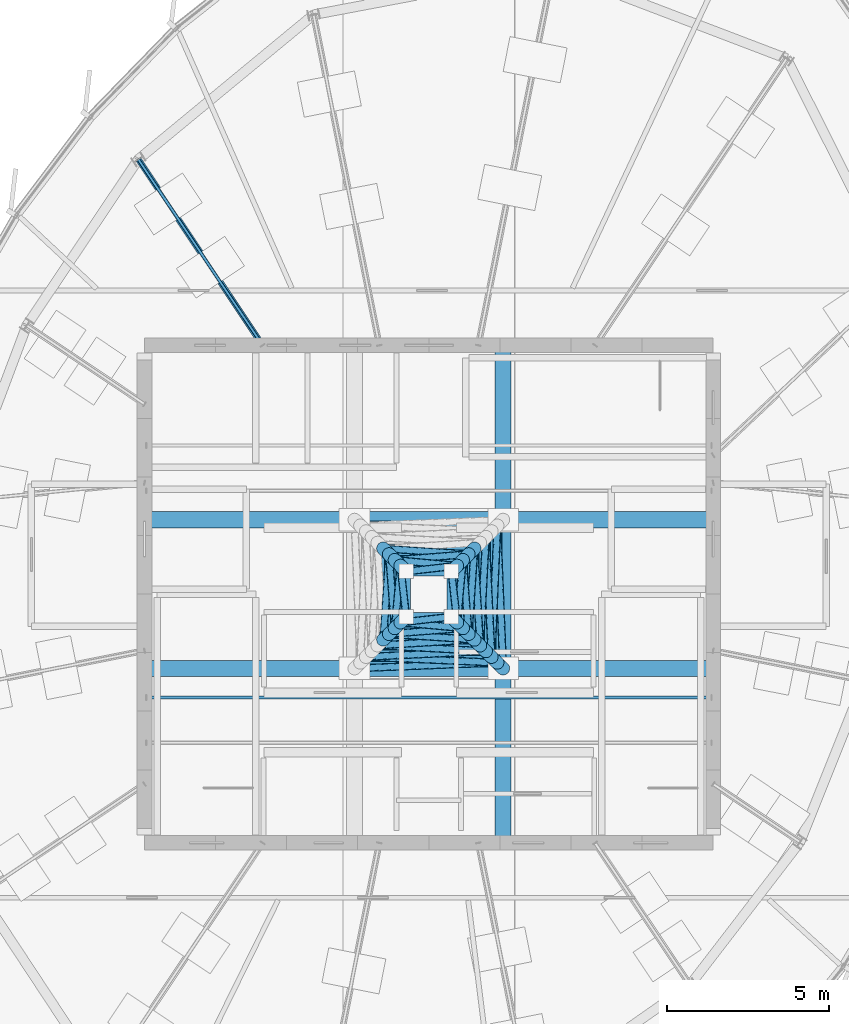
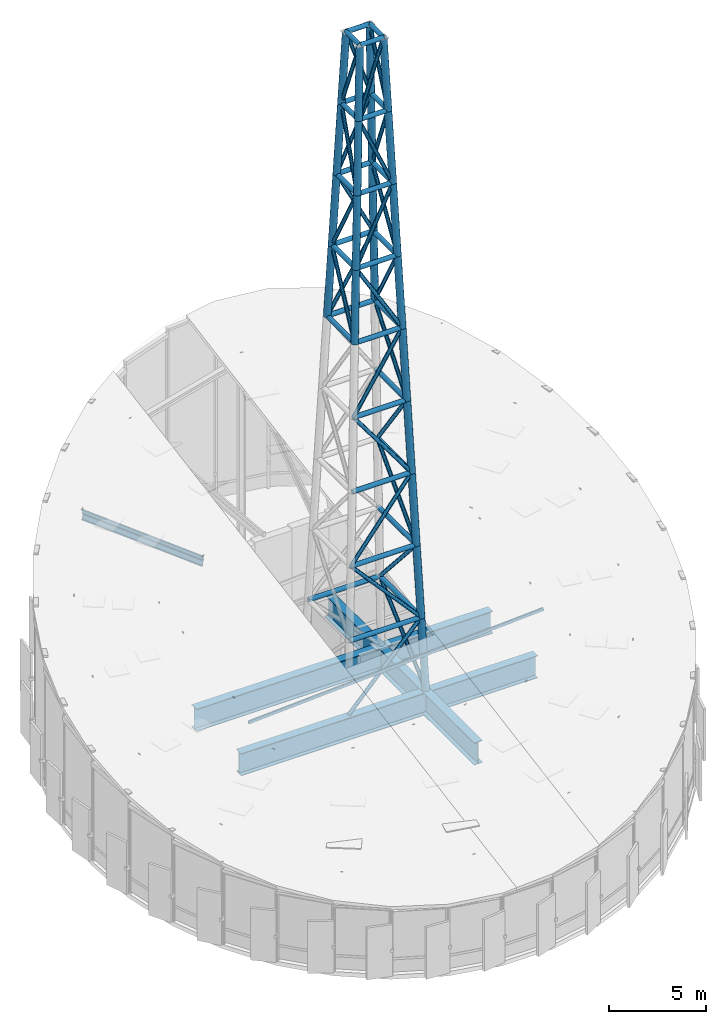
# One storey, part 13 of 36: 78 members, 4 beams.
"""IFC4 building model written with IfcOpenShell, lengths in metres."""

import ifcopenshell
import ifcopenshell.guid

model = None  # the IFC model being written
_history = None  # IfcOwnerHistory: only IFC2X3 demands one
_inside = {}  # id of a spatial element -> (the spatial element, [elements in it])
_under = {}  # id of a project, library or spatial element -> (it, [spatial elements below it])
_declared = {}  # id of a project -> (the project, [libraries it declares])
_typed = {}  # id of a type object -> (the type object, [elements of that type])
_made_of = {}  # id of a material, layer set ... -> (it, [elements and type objects made of it])


def new_model(schema):
    """Start an empty IFC model of exactly this schema.

    Asked for "IFC4X3", IfcOpenShell would pick the latest addendum, in which some entities
    have other attributes; the version numbers below select the first issue.
    IFC2X3 requires an IfcOwnerHistory on every rooted entity: one is made here for all.
    """
    global model, _history
    if schema == "IFC4X3":
        model = ifcopenshell.file(schema_version=(4, 3, 0, 0))
    else:
        model = ifcopenshell.file(schema=schema)
    _inside.clear()
    _under.clear()
    _declared.clear()
    _typed.clear()
    _made_of.clear()
    _history = None
    if model.schema == "IFC2X3":
        org = make("IfcOrganization", Name="unknown")
        user = make(
            "IfcPersonAndOrganization",
            ThePerson=make("IfcPerson", FamilyName="unknown"),
            TheOrganization=org,
        )
        app = make(
            "IfcApplication",
            ApplicationDeveloper=org,
            Version="unknown",
            ApplicationFullName="unknown",
            ApplicationIdentifier="unknown",
        )
        _history = make(
            "IfcOwnerHistory",
            OwningUser=user,
            OwningApplication=app,
            ChangeAction="ADDED",
            CreationDate=0,
        )
    return model


def make(cls, **values):
    """One entity of the class cls with the attributes given. An attribute that is None is left unset."""
    return model.create_entity(
        cls, **{name: value for name, value in values.items() if value is not None}
    )


def rooted(cls, **values):
    """An entity with a GlobalId (a new one), such as an element, a storey or a relation."""
    return make(cls, GlobalId=ifcopenshell.guid.new(), OwnerHistory=_history, **values)


def si_unit(unit_type, name, prefix=None):
    """IfcSIUnit, for example si_unit("LENGTHUNIT", "METRE", prefix="MILLI")."""
    return make("IfcSIUnit", UnitType=unit_type, Prefix=prefix, Name=name)


def assignment(units):
    """IfcUnitAssignment: the units of a project."""
    return None if units is None else make("IfcUnitAssignment", Units=units)


def point(xyz):
    """IfcCartesianPoint."""
    return None if xyz is None else make("IfcCartesianPoint", Coordinates=xyz)


def direction(xyz):
    """IfcDirection."""
    return None if xyz is None else make("IfcDirection", DirectionRatios=xyz)


def frame(location, z_axis=None, x_axis=None):
    """IfcAxis2Placement3D, a coordinate frame: its origin and axes. An axis left out is left unset."""
    return make(
        "IfcAxis2Placement3D",
        Location=point(location),
        Axis=direction(z_axis),
        RefDirection=direction(x_axis),
    )


def frame_2d(location, x_axis=None):
    """IfcAxis2Placement2D, a coordinate frame in the plane: its origin and x axis."""
    return make(
        "IfcAxis2Placement2D", Location=point(location), RefDirection=direction(x_axis)
    )


def origin():
    """The frame at (0, 0, 0) with its axes left unset."""
    return frame((0.0, 0.0, 0.0))


def origin_2d():
    """The frame at (0, 0) in the plane with its x axis left unset."""
    return frame_2d((0.0, 0.0))


def place(relative_to, where):
    """IfcLocalPlacement: puts the frame where relative to a parent placement (None: the world)."""
    return make(
        "IfcLocalPlacement", PlacementRelTo=relative_to, RelativePlacement=where
    )


def context(
    kind, dimensions, precision=None, world=None, true_north=None, identifier=None
):
    """IfcGeometricRepresentationContext, for example the 3D "Model" context."""
    return make(
        "IfcGeometricRepresentationContext",
        ContextIdentifier=identifier,
        ContextType=kind,
        CoordinateSpaceDimension=dimensions,
        Precision=precision,
        WorldCoordinateSystem=world,
        TrueNorth=true_north,
    )


def subcontext(parent, identifier, kind, view, scale=None):
    """IfcGeometricRepresentationSubContext, for example "Body" below "Model"."""
    return make(
        "IfcGeometricRepresentationSubContext",
        ContextIdentifier=identifier,
        ContextType=kind,
        ParentContext=parent,
        TargetScale=scale,
        TargetView=view,
    )


def project(units=None, contexts=None):
    """IfcProject with its units and contexts."""
    return rooted(
        "IfcProject",
        Name="project",
        RepresentationContexts=contexts,
        UnitsInContext=assignment(units),
    )


def spatial(cls, under=None, at=None, **own):
    """A site, building, storey or space (cls), placed at a placement, below another one or the project."""
    s = rooted(cls, ObjectPlacement=at, **own)
    if under is not None:
        _under.setdefault(under.id(), (under, []))[1].append(s)
    return s


def profile(cls, at=None, kind="AREA", **sizes):
    """A parametric profile (cls). Its sizes go by their IFC names, for example OverallWidth=200.0."""
    return make(cls, ProfileType=kind, Position=at, **sizes)


def hollow_rectangle(**sizes):
    """IfcRectangleHollowProfileDef."""
    return profile("IfcRectangleHollowProfileDef", **sizes)


def hollow_circle(**sizes):
    """IfcCircleHollowProfileDef."""
    return profile("IfcCircleHollowProfileDef", **sizes)


def i_section(**sizes):
    """IfcIShapeProfileDef."""
    return profile("IfcIShapeProfileDef", **sizes)


def extrude(swept, where, along, depth):
    """IfcExtrudedAreaSolid: the profile swept, set in the frame where, extruded along a direction by depth."""
    return make(
        "IfcExtrudedAreaSolid",
        SweptArea=swept,
        Position=where,
        ExtrudedDirection=direction(along),
        Depth=depth,
    )


def shape(context_of_items, identifier, shape_type, items):
    """IfcShapeRepresentation: the items that make up one representation, for example the "Body"."""
    return make(
        "IfcShapeRepresentation",
        ContextOfItems=context_of_items,
        RepresentationIdentifier=identifier,
        RepresentationType=shape_type,
        Items=items,
    )


def source(mapping_origin, context_of_items, identifier, shape_type, items):
    """IfcRepresentationMap: a shape defined once, which mapped items show again and again."""
    return make(
        "IfcRepresentationMap",
        MappingOrigin=mapping_origin,
        MappedRepresentation=shape(context_of_items, identifier, shape_type, items),
    )


def transform(
    local_origin,
    x_axis=None,
    y_axis=None,
    z_axis=None,
    scale=None,
    scale2=None,
    scale3=None,
    uniform=True,
):
    """IfcCartesianTransformationOperator3D, or its non-uniform kind. x_axis, y_axis, z_axis: its Axis1, 2, 3."""
    if uniform:
        return make(
            "IfcCartesianTransformationOperator3D",
            Axis1=direction(x_axis),
            Axis2=direction(y_axis),
            LocalOrigin=point(local_origin),
            Scale=scale,
            Axis3=direction(z_axis),
        )
    return make(
        "IfcCartesianTransformationOperator3DnonUniform",
        Axis1=direction(x_axis),
        Axis2=direction(y_axis),
        LocalOrigin=point(local_origin),
        Scale=scale,
        Axis3=direction(z_axis),
        Scale2=scale2,
        Scale3=scale3,
    )


def mapped(mapping_source, mapping_target):
    """IfcMappedItem: shows the shape of a source again, moved by a transform."""
    return make(
        "IfcMappedItem", MappingSource=mapping_source, MappingTarget=mapping_target
    )


def material(Name=None, Category=None):
    """IfcMaterial."""
    return make("IfcMaterial", Name=Name, Category=Category)


def material_profile(
    of_material, cross_section, Name=None, Category=None, Priority=None
):
    """IfcMaterialProfile: a cross section and its material."""
    return make(
        "IfcMaterialProfile",
        Name=Name,
        Material=of_material,
        Profile=cross_section,
        Priority=Priority,
        Category=Category,
    )


def profile_set(profiles, Name=None, composite=None):
    """IfcMaterialProfileSet."""
    return make(
        "IfcMaterialProfileSet",
        Name=Name,
        MaterialProfiles=profiles,
        CompositeProfile=composite,
    )


def made_of(thing, what):
    """Note that an element or type object is made of a material, layer set ...; save() writes the relation."""
    if what is not None:
        _made_of.setdefault(what.id(), (what, []))[1].append(thing)
    return thing


def type_object(cls, material=None, **own):
    """A type object (cls), such as IfcWallType, which elements share."""
    return made_of(rooted(cls, **own), material)


def element(
    cls,
    number,
    at=None,
    inside=None,
    cuts=None,
    type_object=None,
    material=None,
    context=None,
    identifier="Body",
    shape_type=None,
    held_by="IfcProductDefinitionShape",
    body=None,
    shapes=None,
    **own,
):
    """One element of the class cls, such as IfcWall. Its Tag is "e" and its number.

    at: its placement. inside: the storey or other place that contains it. cuts: it is an
    opening in that element (IfcRelVoidsElement). A single representation is given by context,
    identifier, shape_type and body (its items); several are given by shapes. held_by: the class
    of the entity that holds the representations. save() writes the other relations.
    """
    e = rooted(cls, Tag="e%d" % number, ObjectPlacement=at, **own)
    if body is not None:
        shapes = [shape(context, identifier, shape_type, body)]
    if shapes is not None:
        e.Representation = make(held_by, Representations=shapes)
    if inside is not None:
        _inside.setdefault(inside.id(), (inside, []))[1].append(e)
    if cuts is not None:
        rooted(
            "IfcRelVoidsElement", RelatingBuildingElement=cuts, RelatedOpeningElement=e
        )
    if type_object is not None:
        _typed.setdefault(type_object.id(), (type_object, []))[1].append(e)
    return made_of(e, material)


def aggregate(whole, parts):
    """IfcRelAggregates: a whole, such as a stair, and the parts it consists of."""
    return rooted("IfcRelAggregates", RelatingObject=whole, RelatedObjects=parts)


def save(model, path):
    """Write the relations noted so far, then the file.

    IfcRelAggregates (storeys below a building ...), IfcRelContainedInSpatialStructure (elements
    in a storey), IfcRelDefinesByType, IfcRelAssociatesMaterial and IfcRelDeclares: one each for
    every whole, place, type object, material and project.
    """
    for whole, parts in _under.values():
        aggregate(whole, parts)
    for where, things in _inside.values():
        rooted(
            "IfcRelContainedInSpatialStructure",
            RelatedElements=things,
            RelatingStructure=where,
        )
    for kind, things in _typed.values():
        rooted("IfcRelDefinesByType", RelatedObjects=things, RelatingType=kind)
    for what, things in _made_of.values():
        rooted("IfcRelAssociatesMaterial", RelatedObjects=things, RelatingMaterial=what)
    for by, libraries in _declared.values():
        rooted("IfcRelDeclares", RelatingContext=by, RelatedDefinitions=libraries)
    model.write(path)


model = new_model("IFC4")

# Units and contexts
model_context = context("Model", 3, precision=1e-05, world=origin(), true_north=direction((0.0, 1.0)))
body_context = subcontext(model_context, "Body", "Model", "MODEL_VIEW")
ifc_project = project(units=[si_unit("LENGTHUNIT", "METRE"), si_unit("AREAUNIT", "SQUARE_METRE"), si_unit("VOLUMEUNIT", "CUBIC_METRE"), si_unit("PLANEANGLEUNIT", "RADIAN"), si_unit("MASSUNIT", "GRAM", prefix="KILO"), si_unit("THERMODYNAMICTEMPERATUREUNIT", "KELVIN")], contexts=[model_context])

# Site, building, storey
site_placement = place(None, origin())
site = spatial("IfcSite", under=ifc_project, at=site_placement, CompositionType="ELEMENT")
building_placement = place(site_placement, origin())
building = spatial("IfcBuilding", under=site, at=building_placement, Name="Kethvar Cultural Tower", CompositionType="ELEMENT")
storey_placement = place(building_placement, frame((0.0, 0.0, 324.300048828125)))
storey = spatial("IfcBuildingStorey", under=building, at=storey_placement, Name="L86", CompositionType="ELEMENT", Elevation=324.300048828125)

# Beams
ifc_material_1 = material(Name="Steel S460M", Category="steel")
ifc_material_profile_1 = material_profile(ifc_material_1, i_section(OverallWidth=0.5, OverallDepth=1.39990234375, WebThickness=0.02197265625, FlangeThickness=0.035888671875, FilletRadius=0.01806640625, at=origin_2d()), Name="Steel S460M — PG1400x500x36x22")
ifc_profile_set_1 = profile_set([ifc_material_profile_1], Name="Steel S460M — PG1400x500x36x22")
beam_type_1 = type_object("IfcBeamType", Name="BM-MG1400", PredefinedType="BEAM", material=ifc_profile_set_1)
shared_shape_1 = source(origin(), body_context, "Body", "SweptSolid", [
    extrude(i_section(OverallWidth=0.5, OverallDepth=1.39990234375, WebThickness=0.02197265625, FlangeThickness=0.035888671875, FilletRadius=0.01806640625, at=origin_2d()), origin(), (0.0, 0.0, 1.0), 17.60009765625),
])
for number, where, z_axis, x_axis, name in (
    (1, (38.0, 25.5, 3.47998046875), (1.0, 0.0, 0.0), (0.0, 1.0, 0.0), "Crown Mast Grillage Girder South"),
    (2, (38.0, 30.10009765625, 3.47998046875), (1.0, 0.0, 0.0), (0.0, 1.0, 0.0), "Crown Mast Grillage Girder North"),
):
    element("IfcBeam", number, at=place(storey_placement, frame(where, z_axis=z_axis, x_axis=x_axis)), inside=storey, type_object=beam_type_1, Name=name, PredefinedType="BEAM", context=body_context, shape_type="MappedRepresentation", body=[
        mapped(shared_shape_1, transform((0.0, 0.0, 0.0), scale=1.0)),
    ])
shared_shape_2 = source(origin(), body_context, "Body", "SweptSolid", [
    extrude(i_section(OverallWidth=0.5, OverallDepth=1.39990234375, WebThickness=0.02197265625, FlangeThickness=0.035888671875, FilletRadius=0.01806640625, at=origin_2d()), origin(), (0.0, 0.0, 1.0), 15.39990234375),
])
beam_1_placement = place(storey_placement, frame((49.10009765625, 20.10009765625, 3.47998046875), z_axis=(0.0, 1.0, 0.0), x_axis=(-1.0, 0.0, 0.0)))
element("IfcBeam", 3, at=beam_1_placement, inside=storey, type_object=beam_type_1, Name="Crown Mast Grillage Girder East", PredefinedType="BEAM", context=body_context, shape_type="MappedRepresentation", body=[
    mapped(shared_shape_2, transform((0.0, 0.0, 0.0), scale=1.0)),
])
ifc_material_2 = material(Name="Steel S355J2", Category="steel")
ifc_material_profile_2 = material_profile(ifc_material_2, i_section(OverallWidth=0.179931640625, OverallDepth=0.39990234375, WebThickness=0.008544921875, FlangeThickness=0.013427734375, FilletRadius=0.02099609375, at=origin_2d()), Name="Steel S355J2 — IPE400")
ifc_profile_set_2 = profile_set([ifc_material_profile_2], Name="Steel S355J2 — IPE400")
beam_type_2 = type_object("IfcBeamType", Name="BM-IPE400", PredefinedType="BEAM", material=ifc_profile_set_2)
shared_shape_3 = source(origin(), body_context, "Body", "SweptSolid", [
    extrude(i_section(OverallWidth=0.179931640625, OverallDepth=0.39990234375, WebThickness=0.008544921875, FlangeThickness=0.013427734375, FilletRadius=0.02099609375, at=origin_2d()), origin(), (0.0, 0.0, 1.0), 6.96728515625),
])
beam_2_placement = place(storey_placement, frame((41.655029296875, 35.5, 8.66748046875), z_axis=(-0.551933982835, 0.826026269912, 0.114234320617), x_axis=(-0.831469205479, -0.555570841874, 0.0)))
element("IfcBeam", 4, at=beam_2_placement, inside=storey, type_object=beam_type_2, Name="Crown Sloped Radial Rafter RB-06", PredefinedType="BEAM", context=body_context, shape_type="MappedRepresentation", body=[
    mapped(shared_shape_3, transform((0.0, 0.0, 0.0), scale=1.0)),
])

# Members
ifc_material_profile_3 = material_profile(ifc_material_2, hollow_rectangle(XDim=0.10009765625, YDim=0.199951171875, WallThickness=0.008056640625, InnerFilletRadius=0.008056640625, OuterFilletRadius=0.01611328125, at=origin_2d()), Name="Steel S355J2 — RHS200x100x8")
ifc_profile_set_3 = profile_set([ifc_material_profile_3], Name="Steel S355J2 — RHS200x100x8")
member_type_1 = type_object("IfcMemberType", Name="MB-PUR-200", PredefinedType="PURLIN", material=ifc_profile_set_3)
shared_shape_4 = source(origin(), body_context, "Body", "SweptSolid", [
    extrude(hollow_rectangle(XDim=0.10009765625, YDim=0.199951171875, WallThickness=0.008056640625, InnerFilletRadius=0.008056640625, OuterFilletRadius=0.01611328125, at=origin_2d()), origin(), (0.0, 0.0, 1.0), 17.528564453125),
])
member_1_placement = place(storey_placement, frame((38.050048828125, 24.60009765625, 6.52685546875), z_axis=(0.998370541023, 0.0, 0.057063673362), x_axis=(0.0, 1.0, 0.0)))
element("IfcMember", 5, at=member_1_placement, inside=storey, type_object=member_type_1, Name="Crown Roof Purlin PR-08", PredefinedType="PURLIN", context=body_context, shape_type="MappedRepresentation", body=[
    mapped(shared_shape_4, transform((0.0, 0.0, 0.0), scale=1.0)),
])
ifc_material_profile_4 = material_profile(ifc_material_2, hollow_rectangle(XDim=0.10009765625, YDim=0.199951171875, WallThickness=0.008056640625, InnerFilletRadius=0.008056640625, OuterFilletRadius=0.01611328125, at=origin_2d()), Name="Steel S355J2 — RHS200x100x8")
ifc_profile_set_4 = profile_set([ifc_material_profile_4], Name="Steel S355J2 — RHS200x100x8")
member_type_2 = type_object("IfcMemberType", Name="MB-GLAZ-200", PredefinedType="PURLIN", material=ifc_profile_set_4)
shared_shape_5 = source(origin(), body_context, "Body", "SweptSolid", [
    extrude(hollow_rectangle(XDim=0.10009765625, YDim=0.199951171875, WallThickness=0.008056640625, InnerFilletRadius=0.008056640625, OuterFilletRadius=0.01611328125, at=origin_2d()), origin(), (0.0, 0.0, 1.0), 6.966796875),
])
member_2_placement = place(storey_placement, frame((41.655029296875, 35.5, 8.990478515625), z_axis=(-0.551960448035, 0.826065877819, 0.113819283551), x_axis=(-0.831469205479, -0.555570841874, 0.0)))
element("IfcMember", 6, at=member_2_placement, inside=storey, type_object=member_type_2, Name="Sloped Crown Skylight Glazing Mullion Bar GB-06", PredefinedType="PURLIN", context=body_context, shape_type="MappedRepresentation", body=[
    mapped(shared_shape_5, transform((0.0, 0.0, 0.0), scale=1.0)),
])
ifc_material_profile_5 = material_profile(ifc_material_1, hollow_circle(Radius=0.203125, WallThickness=0.02001953125, at=origin_2d()), Name="Steel S460M — CHS406x20")
ifc_profile_set_5 = profile_set([ifc_material_profile_5], Name="Steel S460M — CHS406x20")
member_type_3 = type_object("IfcMemberType", Name="MB-MAST-LEG", PredefinedType="CHORD", material=ifc_profile_set_5)
shared_shape_6 = source(origin(), body_context, "Body", "SweptSolid", [
    extrude(hollow_circle(Radius=0.203125, WallThickness=0.02001953125, at=origin_2d()), origin(), (0.0, 0.0, 1.0), 4.507080078125),
])
for number, where, z_axis, x_axis, name in (
    (7, (49.10009765625, 25.5, 4.179931640625), (-0.039489142576, 0.039434973657, 0.998441530823), (-0.706621297815, -0.707591931465, 0.0), "Broadcast Mast Leg T1-L2"),
    (8, (48.922119140625, 25.677734375, 8.679931640625), (-0.039434973657, 0.039489142576, 0.998441530823), (-0.707591931465, -0.706621297815, 0.0), "Broadcast Mast Leg T2-L2"),
    (9, (48.744384765625, 25.855712890625, 13.179931640625), (-0.039435142136, 0.039380972984, 0.998445796491), (-0.706620630255, -0.707592598109, 0.0), "Broadcast Mast Leg T3-L2"),
    (10, (48.566650390625, 26.033203125, 17.679931640625), (-0.039434973657, 0.039489142576, 0.998441530823), (-0.707591931465, -0.706621297815, 0.0), "Broadcast Mast Leg T4-L2"),
    (11, (48.388916015625, 26.211181640625, 22.179931640625), (-0.039435057954, 0.039435057954, 0.998443665115), (-0.707106781187, -0.707106781187, 0.0), "Broadcast Mast Leg T5-L2"),
    (12, (45.388916015625, 26.388916015625, 26.679931640625), (0.039435057954, 0.039435057954, 0.998443665115), (-0.707106781187, 0.707106781187, 0.0), "Broadcast Mast Leg T6-L1"),
    (13, (48.211181640625, 26.388916015625, 26.679931640625), (-0.039489142576, 0.039434973657, 0.998441530823), (-0.706621297815, -0.707591931465, 0.0), "Broadcast Mast Leg T6-L2"),
    (14, (48.211181640625, 29.211181640625, 26.679931640625), (-0.039489058164, -0.039489058164, 0.998439396544), (0.707106781187, -0.707106781187, 0.0), "Broadcast Mast Leg T6-L3"),
    (15, (45.388916015625, 29.211181640625, 26.679931640625), (0.039434973657, -0.039489142576, 0.998441530823), (0.707591931465, 0.706621297815, 0.0), "Broadcast Mast Leg T6-L4"),
    (16, (45.566650390625, 26.566650390625, 31.179931640625), (0.039435057954, 0.039435057954, 0.998443665115), (-0.707106781187, 0.707106781187, 0.0), "Broadcast Mast Leg T7-L1"),
    (17, (48.033203125, 26.566650390625, 31.179931640625), (-0.039380972984, 0.039435142136, 0.998445796491), (-0.707592598109, -0.706620630255, 0.0), "Broadcast Mast Leg T7-L2"),
    (18, (48.033203125, 29.033203125, 31.179931640625), (-0.039381057051, -0.039381057051, 0.998447927882), (0.707106781187, -0.707106781187, 0.0), "Broadcast Mast Leg T7-L3"),
    (19, (45.566650390625, 29.033203125, 31.179931640625), (0.039435142136, -0.039380972984, 0.998445796491), (0.706620630255, 0.707592598109, 0.0), "Broadcast Mast Leg T7-L4"),
    (20, (45.744384765625, 26.744384765625, 35.679931640625), (0.039435057954, 0.039435057954, 0.998443665115), (-0.707106781187, 0.707106781187, 0.0), "Broadcast Mast Leg T8-L1"),
    (21, (47.855712890625, 26.744384765625, 35.679931640625), (-0.039489142576, 0.039434973657, 0.998441530823), (-0.706621297815, -0.707591931465, 0.0), "Broadcast Mast Leg T8-L2"),
    (22, (47.855712890625, 28.855712890625, 35.679931640625), (-0.039489058164, -0.039489058164, 0.998439396544), (0.707106781187, -0.707106781187, 0.0), "Broadcast Mast Leg T8-L3"),
    (23, (45.744384765625, 28.855712890625, 35.679931640625), (0.039434973657, -0.039489142576, 0.998441530823), (0.707591931465, 0.706621297815, 0.0), "Broadcast Mast Leg T8-L4"),
    (24, (45.922119140625, 26.922119140625, 40.179931640625), (0.039489058164, 0.039489058164, 0.998439396544), (-0.707106781187, 0.707106781187, 0.0), "Broadcast Mast Leg T9-L1"),
    (25, (47.677734375, 26.922119140625, 40.179931640625), (-0.039434973657, 0.039489142576, 0.998441530823), (-0.707591931465, -0.706621297815, 0.0), "Broadcast Mast Leg T9-L2"),
    (26, (47.677734375, 28.677734375, 40.179931640625), (-0.039435057954, -0.039435057954, 0.998443665115), (0.707106781187, -0.707106781187, 0.0), "Broadcast Mast Leg T9-L3"),
    (27, (45.922119140625, 28.677734375, 40.179931640625), (0.039489142576, -0.039434973657, 0.998441530823), (0.706621297815, 0.707591931465, 0.0), "Broadcast Mast Leg T9-L4"),
):
    element("IfcMember", number, at=place(storey_placement, frame(where, z_axis=z_axis, x_axis=x_axis)), inside=storey, type_object=member_type_3, Name=name, PredefinedType="CHORD", context=body_context, shape_type="MappedRepresentation", body=[
        mapped(shared_shape_6, transform((0.0, 0.0, 0.0), scale=1.0)),
    ])
ifc_material_profile_6 = material_profile(ifc_material_2, hollow_circle(Radius=0.136474609375, WallThickness=0.012451171875, at=origin_2d()), Name="Steel S355J2 — CHS273x12.5")
ifc_profile_set_6 = profile_set([ifc_material_profile_6], Name="Steel S355J2 — CHS273x12.5")
member_type_4 = type_object("IfcMemberType", Name="MB-MAST-STR", PredefinedType="STRUT", material=ifc_profile_set_6)
shared_shape_7 = source(origin(), body_context, "Body", "SweptSolid", [
    extrude(hollow_circle(Radius=0.136474609375, WallThickness=0.012451171875, at=origin_2d()), origin(), (0.0, 0.0, 1.0), 4.244384765625),
])
for number, where, z_axis, x_axis, name in (
    (28, (44.677734375, 25.677734375, 8.679931640625), (1.0, 0.0, 0.0), (0.0, 1.0, 0.0), "Broadcast Mast Ring Strut T1-S1"),
    (29, (48.922119140625, 25.677734375, 8.679931640625), (0.0, 1.0, 0.0), (-1.0, 0.0, 0.0), "Broadcast Mast Ring Strut T1-S2"),
    (30, (48.922119140625, 29.922119140625, 8.679931640625), (-1.0, 0.0, 0.0), (0.0, -1.0, 0.0), "Broadcast Mast Ring Strut T1-S3"),
):
    element("IfcMember", number, at=place(storey_placement, frame(where, z_axis=z_axis, x_axis=x_axis)), inside=storey, type_object=member_type_4, Name=name, PredefinedType="STRUT", context=body_context, shape_type="MappedRepresentation", body=[
        mapped(shared_shape_7, transform((0.0, 0.0, 0.0), scale=1.0)),
    ])
ifc_material_profile_7 = material_profile(ifc_material_2, hollow_circle(Radius=0.109619140625, WallThickness=0.010009765625, at=origin_2d()), Name="Steel S355J2 — CHS219x10")
ifc_profile_set_7 = profile_set([ifc_material_profile_7], Name="Steel S355J2 — CHS219x10")
member_type_5 = type_object("IfcMemberType", Name="MB-MAST-BR", PredefinedType="BRACE", material=ifc_profile_set_7)
shared_shape_8 = source(origin(), body_context, "Body", "SweptSolid", [
    extrude(hollow_circle(Radius=0.109619140625, WallThickness=0.010009765625, at=origin_2d()), origin(), (0.0, 0.0, 1.0), 6.3115234375),
])
for number, where, z_axis, x_axis, name in (
    (31, (44.5, 25.5, 4.179931640625), (0.700629812982, 0.028159802564, 0.712969067127), (-0.040159703156, 0.999193273718, 0.0), "Broadcast Mast Face Brace T1-D1"),
    (32, (49.10009765625, 25.5, 4.179931640625), (-0.028198452876, 0.700629049297, 0.712968289993), (-0.999191058605, -0.040214778431, 0.0), "Broadcast Mast Face Brace T1-D2"),
):
    element("IfcMember", number, at=place(storey_placement, frame(where, z_axis=z_axis, x_axis=x_axis)), inside=storey, type_object=member_type_5, Name=name, PredefinedType="BRACE", context=body_context, shape_type="MappedRepresentation", body=[
        mapped(shared_shape_8, transform((0.0, 0.0, 0.0), scale=1.0)),
    ])
shared_shape_9 = source(origin(), body_context, "Body", "SweptSolid", [
    extrude(hollow_circle(Radius=0.136474609375, WallThickness=0.012451171875, at=origin_2d()), origin(), (0.0, 0.0, 1.0), 3.888671875),
])
for number, where, z_axis, x_axis, name in (
    (33, (44.855712890625, 25.855712890625, 13.179931640625), (1.0, 0.0, 0.0), (0.0, 1.0, 0.0), "Broadcast Mast Ring Strut T2-S1"),
    (34, (48.744384765625, 25.855712890625, 13.179931640625), (0.0, 1.0, 0.0), (-1.0, 0.0, 0.0), "Broadcast Mast Ring Strut T2-S2"),
):
    element("IfcMember", number, at=place(storey_placement, frame(where, z_axis=z_axis, x_axis=x_axis)), inside=storey, type_object=member_type_4, Name=name, PredefinedType="STRUT", context=body_context, shape_type="MappedRepresentation", body=[
        mapped(shared_shape_9, transform((0.0, 0.0, 0.0), scale=1.0)),
    ])
shared_shape_10 = source(origin(), body_context, "Body", "SweptSolid", [
    extrude(hollow_circle(Radius=0.109619140625, WallThickness=0.010009765625, at=origin_2d()), origin(), (0.0, 0.0, 1.0), 6.067626953125),
])
for number, where, z_axis, x_axis, name in (
    (35, (48.922119140625, 25.677734375, 8.679931640625), (-0.670169382802, 0.029331981272, 0.741628365982), (-0.04372614981, -0.999043554517, 0.0), "Broadcast Mast Face Brace T2-D1"),
    (36, (48.922119140625, 29.922119140625, 8.679931640625), (-0.029291779904, -0.670170173194, 0.741629240653), (0.99904617296, -0.043666283256, 0.0), "Broadcast Mast Face Brace T2-D2"),
):
    element("IfcMember", number, at=place(storey_placement, frame(where, z_axis=z_axis, x_axis=x_axis)), inside=storey, type_object=member_type_5, Name=name, PredefinedType="BRACE", context=body_context, shape_type="MappedRepresentation", body=[
        mapped(shared_shape_10, transform((0.0, 0.0, 0.0), scale=1.0)),
    ])
shared_shape_11 = source(origin(), body_context, "Body", "SweptSolid", [
    extrude(hollow_circle(Radius=0.136474609375, WallThickness=0.012451171875, at=origin_2d()), origin(), (0.0, 0.0, 1.0), 3.533447265625),
])
for number, where, z_axis, x_axis, name in (
    (37, (45.033203125, 26.033203125, 17.679931640625), (1.0, 0.0, 0.0), (0.0, 1.0, 0.0), "Broadcast Mast Ring Strut T3-S1"),
    (38, (48.566650390625, 26.033203125, 17.679931640625), (0.0, 1.0, 0.0), (-1.0, 0.0, 0.0), "Broadcast Mast Ring Strut T3-S2"),
):
    element("IfcMember", number, at=place(storey_placement, frame(where, z_axis=z_axis, x_axis=x_axis)), inside=storey, type_object=member_type_4, Name=name, PredefinedType="STRUT", context=body_context, shape_type="MappedRepresentation", body=[
        mapped(shared_shape_11, transform((0.0, 0.0, 0.0), scale=1.0)),
    ])
shared_shape_12 = source(origin(), body_context, "Body", "SweptSolid", [
    extrude(hollow_circle(Radius=0.109619140625, WallThickness=0.010009765625, at=origin_2d()), origin(), (0.0, 0.0, 1.0), 5.83544921875),
])
for number, where, z_axis, x_axis, name in (
    (39, (44.855712890625, 25.855712890625, 13.179931640625), (0.635929185587, 0.030415823547, 0.771147812417), (-0.047774334105, 0.998858154595, 0.0), "Broadcast Mast Face Brace T3-D1"),
    (40, (48.744384765625, 25.855712890625, 13.179931640625), (-0.030457622209, 0.635928375799, 0.771146830443), (-0.998855016578, -0.047839898162, 0.0), "Broadcast Mast Face Brace T3-D2"),
):
    element("IfcMember", number, at=place(storey_placement, frame(where, z_axis=z_axis, x_axis=x_axis)), inside=storey, type_object=member_type_5, Name=name, PredefinedType="BRACE", context=body_context, shape_type="MappedRepresentation", body=[
        mapped(shared_shape_12, transform((0.0, 0.0, 0.0), scale=1.0)),
    ])
shared_shape_13 = source(origin(), body_context, "Body", "SweptSolid", [
    extrude(hollow_circle(Radius=0.136474609375, WallThickness=0.012451171875, at=origin_2d()), origin(), (0.0, 0.0, 1.0), 3.177734375),
])
for number, where, z_axis, x_axis, name in (
    (41, (45.211181640625, 26.211181640625, 22.179931640625), (1.0, 0.0, 0.0), (0.0, 1.0, 0.0), "Broadcast Mast Ring Strut T4-S1"),
    (42, (48.388916015625, 26.211181640625, 22.179931640625), (0.0, 1.0, 0.0), (-1.0, 0.0, 0.0), "Broadcast Mast Ring Strut T4-S2"),
):
    element("IfcMember", number, at=place(storey_placement, frame(where, z_axis=z_axis, x_axis=x_axis)), inside=storey, type_object=member_type_4, Name=name, PredefinedType="STRUT", context=body_context, shape_type="MappedRepresentation", body=[
        mapped(shared_shape_13, transform((0.0, 0.0, 0.0), scale=1.0)),
    ])
shared_shape_14 = source(origin(), body_context, "Body", "SweptSolid", [
    extrude(hollow_circle(Radius=0.109619140625, WallThickness=0.010009765625, at=origin_2d()), origin(), (0.0, 0.0, 1.0), 5.6162109375),
])
for number, where, z_axis, x_axis, name in (
    (43, (48.566650390625, 26.033203125, 17.679931640625), (-0.597470577754, 0.031690632362, 0.80126438367), (-0.052966871424, -0.998596270037, 0.0), "Broadcast Mast Face Brace T4-D1"),
    (44, (48.566650390625, 29.566650390625, 17.679931640625), (-0.031647204555, -0.597471400288, 0.801265486766), (0.998600110429, -0.052894417956, 0.0), "Broadcast Mast Face Brace T4-D2"),
):
    element("IfcMember", number, at=place(storey_placement, frame(where, z_axis=z_axis, x_axis=x_axis)), inside=storey, type_object=member_type_5, Name=name, PredefinedType="BRACE", context=body_context, shape_type="MappedRepresentation", body=[
        mapped(shared_shape_14, transform((0.0, 0.0, 0.0), scale=1.0)),
    ])
shared_shape_15 = source(origin(), body_context, "Body", "SweptSolid", [
    extrude(hollow_circle(Radius=0.136474609375, WallThickness=0.012451171875, at=origin_2d()), origin(), (0.0, 0.0, 1.0), 2.822265625),
])
for number, where, z_axis, x_axis, name in (
    (45, (45.388916015625, 26.388916015625, 26.679931640625), (1.0, 0.0, 0.0), (0.0, 1.0, 0.0), "Broadcast Mast Ring Strut T5-S1"),
    (46, (48.211181640625, 26.388916015625, 26.679931640625), (0.0, 1.0, 0.0), (-1.0, 0.0, 0.0), "Broadcast Mast Ring Strut T5-S2"),
    (47, (48.211181640625, 29.211181640625, 26.679931640625), (-1.0, 0.0, 0.0), (0.0, -1.0, 0.0), "Broadcast Mast Ring Strut T5-S3"),
    (48, (45.388916015625, 29.211181640625, 26.679931640625), (0.0, -1.0, 0.0), (1.0, 0.0, 0.0), "Broadcast Mast Ring Strut T5-S4"),
):
    element("IfcMember", number, at=place(storey_placement, frame(where, z_axis=z_axis, x_axis=x_axis)), inside=storey, type_object=member_type_4, Name=name, PredefinedType="STRUT", context=body_context, shape_type="MappedRepresentation", body=[
        mapped(shared_shape_15, transform((0.0, 0.0, 0.0), scale=1.0)),
    ])
shared_shape_16 = source(origin(), body_context, "Body", "SweptSolid", [
    extrude(hollow_circle(Radius=0.109619140625, WallThickness=0.010009765625, at=origin_2d()), origin(), (0.0, 0.0, 1.0), 5.4111328125),
])
for number, where, z_axis, x_axis, name in (
    (49, (45.211181640625, 26.211181640625, 22.179931640625), (0.554400905184, 0.032845366127, 0.831601357776), (-0.059141091583, 0.998249633752, 0.0), "Broadcast Mast Face Brace T5-D1"),
    (50, (48.388916015625, 26.211181640625, 22.179931640625), (-0.032845366127, 0.554400905184, 0.831601357776), (-0.998249633752, -0.059141091583, 0.0), "Broadcast Mast Face Brace T5-D2"),
):
    element("IfcMember", number, at=place(storey_placement, frame(where, z_axis=z_axis, x_axis=x_axis)), inside=storey, type_object=member_type_5, Name=name, PredefinedType="BRACE", context=body_context, shape_type="MappedRepresentation", body=[
        mapped(shared_shape_16, transform((0.0, 0.0, 0.0), scale=1.0)),
    ])
shared_shape_17 = source(origin(), body_context, "Body", "SweptSolid", [
    extrude(hollow_circle(Radius=0.136474609375, WallThickness=0.012451171875, at=origin_2d()), origin(), (0.0, 0.0, 1.0), 2.466552734375),
])
for number, where, z_axis, x_axis, name in (
    (51, (45.566650390625, 26.566650390625, 31.179931640625), (1.0, 0.0, 0.0), (0.0, 1.0, 0.0), "Broadcast Mast Ring Strut T6-S1"),
    (52, (48.033203125, 26.566650390625, 31.179931640625), (0.0, 1.0, 0.0), (-1.0, 0.0, 0.0), "Broadcast Mast Ring Strut T6-S2"),
    (53, (48.033203125, 29.033203125, 31.179931640625), (-1.0, 0.0, 0.0), (0.0, -1.0, 0.0), "Broadcast Mast Ring Strut T6-S3"),
    (54, (45.566650390625, 29.033203125, 31.179931640625), (0.0, -1.0, 0.0), (1.0, 0.0, 0.0), "Broadcast Mast Ring Strut T6-S4"),
):
    element("IfcMember", number, at=place(storey_placement, frame(where, z_axis=z_axis, x_axis=x_axis)), inside=storey, type_object=member_type_4, Name=name, PredefinedType="STRUT", context=body_context, shape_type="MappedRepresentation", body=[
        mapped(shared_shape_17, transform((0.0, 0.0, 0.0), scale=1.0)),
    ])
shared_shape_18 = source(origin(), body_context, "Body", "SweptSolid", [
    extrude(hollow_circle(Radius=0.109619140625, WallThickness=0.010009765625, at=origin_2d()), origin(), (0.0, 0.0, 1.0), 5.22265625),
])
for number, where, z_axis, x_axis, name in (
    (55, (48.211181640625, 26.388916015625, 26.679931640625), (-0.506366829455, 0.034032039498, 0.861646362677), (-0.067056995813, -0.997749146486, 0.0), "Broadcast Mast Face Brace T6-D1"),
    (56, (48.211181640625, 29.211181640625, 26.679931640625), (-0.034078732552, -0.506366023322, 0.861644990941), (0.997742979509, -0.067148692029, 0.0), "Broadcast Mast Face Brace T6-D2"),
):
    element("IfcMember", number, at=place(storey_placement, frame(where, z_axis=z_axis, x_axis=x_axis)), inside=storey, type_object=member_type_5, Name=name, PredefinedType="BRACE", context=body_context, shape_type="MappedRepresentation", body=[
        mapped(shared_shape_18, transform((0.0, 0.0, 0.0), scale=1.0)),
    ])
shared_shape_19 = source(origin(), body_context, "Body", "SweptSolid", [
    extrude(hollow_circle(Radius=0.109619140625, WallThickness=0.010009765625, at=origin_2d()), origin(), (0.0, 0.0, 1.0), 5.222412109375),
])
for number, where, z_axis, x_axis, name in (
    (57, (45.388916015625, 29.211181640625, 26.679931640625), (0.506331261152, -0.034079539228, 0.861665386903), (0.067154863748, 0.997742564129, 0.0), "Broadcast Mast Face Brace T6-D3"),
    (58, (45.388916015625, 26.388916015625, 26.679931640625), (0.034032845072, 0.506332067268, 0.861666758737), (-0.997748732237, 0.067063159179, 0.0), "Broadcast Mast Face Brace T6-D4"),
):
    element("IfcMember", number, at=place(storey_placement, frame(where, z_axis=z_axis, x_axis=x_axis)), inside=storey, type_object=member_type_5, Name=name, PredefinedType="BRACE", context=body_context, shape_type="MappedRepresentation", body=[
        mapped(shared_shape_19, transform((0.0, 0.0, 0.0), scale=1.0)),
    ])
shared_shape_20 = source(origin(), body_context, "Body", "SweptSolid", [
    extrude(hollow_circle(Radius=0.136474609375, WallThickness=0.012451171875, at=origin_2d()), origin(), (0.0, 0.0, 1.0), 2.111328125),
])
for number, where, z_axis, x_axis, name in (
    (59, (45.744384765625, 26.744384765625, 35.679931640625), (1.0, 0.0, 0.0), (0.0, 1.0, 0.0), "Broadcast Mast Ring Strut T7-S1"),
    (60, (47.855712890625, 26.744384765625, 35.679931640625), (0.0, 1.0, 0.0), (-1.0, 0.0, 0.0), "Broadcast Mast Ring Strut T7-S2"),
    (61, (47.855712890625, 28.855712890625, 35.679931640625), (-1.0, 0.0, 0.0), (0.0, -1.0, 0.0), "Broadcast Mast Ring Strut T7-S3"),
    (62, (45.744384765625, 28.855712890625, 35.679931640625), (0.0, -1.0, 0.0), (1.0, 0.0, 0.0), "Broadcast Mast Ring Strut T7-S4"),
):
    element("IfcMember", number, at=place(storey_placement, frame(where, z_axis=z_axis, x_axis=x_axis)), inside=storey, type_object=member_type_4, Name=name, PredefinedType="STRUT", context=body_context, shape_type="MappedRepresentation", body=[
        mapped(shared_shape_20, transform((0.0, 0.0, 0.0), scale=1.0)),
    ])
shared_shape_21 = source(origin(), body_context, "Body", "SweptSolid", [
    extrude(hollow_circle(Radius=0.109619140625, WallThickness=0.010009765625, at=origin_2d()), origin(), (0.0, 0.0, 1.0), 5.0517578125),
])
for number, where, z_axis, x_axis, name in (
    (63, (45.566650390625, 26.566650390625, 31.179931640625), (0.453111862467, 0.035181893758, 0.89075915625), (-0.077412052729, 0.9969991846, 0.0), "Broadcast Mast Face Brace T7-D1"),
    (64, (48.033203125, 26.566650390625, 31.179931640625), (-0.035133626675, 0.453112632333, 0.890760669707), (-0.997007385992, -0.077306353415, 0.0), "Broadcast Mast Face Brace T7-D2"),
    (65, (48.033203125, 29.033203125, 31.179931640625), (-0.453074226251, -0.035134395998, 0.890780174748), (0.077314550137, -0.997006750397, 0.0), "Broadcast Mast Face Brace T7-D3"),
    (66, (45.566650390625, 29.033203125, 31.179931640625), (0.035182664136, -0.453073456417, 0.890778661192), (0.996998547271, 0.077420260524, 0.0), "Broadcast Mast Face Brace T7-D4"),
):
    element("IfcMember", number, at=place(storey_placement, frame(where, z_axis=z_axis, x_axis=x_axis)), inside=storey, type_object=member_type_5, Name=name, PredefinedType="BRACE", context=body_context, shape_type="MappedRepresentation", body=[
        mapped(shared_shape_21, transform((0.0, 0.0, 0.0), scale=1.0)),
    ])
shared_shape_22 = source(origin(), body_context, "Body", "SweptSolid", [
    extrude(hollow_circle(Radius=0.136474609375, WallThickness=0.012451171875, at=origin_2d()), origin(), (0.0, 0.0, 1.0), 1.755615234375),
])
for number, where, z_axis, x_axis, name in (
    (67, (45.922119140625, 26.922119140625, 40.179931640625), (1.0, 0.0, 0.0), (0.0, 1.0, 0.0), "Broadcast Mast Ring Strut T8-S1"),
    (68, (47.677734375, 26.922119140625, 40.179931640625), (0.0, 1.0, 0.0), (-1.0, 0.0, 0.0), "Broadcast Mast Ring Strut T8-S2"),
    (69, (47.677734375, 28.677734375, 40.179931640625), (-1.0, 0.0, 0.0), (0.0, -1.0, 0.0), "Broadcast Mast Ring Strut T8-S3"),
    (70, (45.922119140625, 28.677734375, 40.179931640625), (0.0, -1.0, 0.0), (1.0, 0.0, 0.0), "Broadcast Mast Ring Strut T8-S4"),
):
    element("IfcMember", number, at=place(storey_placement, frame(where, z_axis=z_axis, x_axis=x_axis)), inside=storey, type_object=member_type_4, Name=name, PredefinedType="STRUT", context=body_context, shape_type="MappedRepresentation", body=[
        mapped(shared_shape_22, transform((0.0, 0.0, 0.0), scale=1.0)),
    ])
shared_shape_23 = source(origin(), body_context, "Body", "SweptSolid", [
    extrude(hollow_circle(Radius=0.109619140625, WallThickness=0.010009765625, at=origin_2d()), origin(), (0.0, 0.0, 1.0), 4.901123046875),
])
for number, where, z_axis, x_axis, name in (
    (71, (47.855712890625, 26.744384765625, 35.679931640625), (-0.39452574478, 0.036264487652, 0.918169006034), (-0.091533316479, -0.995802014446, 0.0), "Broadcast Mast Face Brace T8-D1"),
    (72, (47.855712890625, 28.855712890625, 35.679931640625), (-0.036314235862, -0.394525031592, 0.918167346251), (0.995790546366, -0.091657993472, 0.0), "Broadcast Mast Face Brace T8-D2"),
):
    element("IfcMember", number, at=place(storey_placement, frame(where, z_axis=z_axis, x_axis=x_axis)), inside=storey, type_object=member_type_5, Name=name, PredefinedType="BRACE", context=body_context, shape_type="MappedRepresentation", body=[
        mapped(shared_shape_23, transform((0.0, 0.0, 0.0), scale=1.0)),
    ])
shared_shape_24 = source(origin(), body_context, "Body", "SweptSolid", [
    extrude(hollow_circle(Radius=0.109619140625, WallThickness=0.010009765625, at=origin_2d()), origin(), (0.0, 0.0, 1.0), 4.90087890625),
])
for number, where, z_axis, x_axis, name in (
    (73, (45.744384765625, 28.855712890625, 35.679931640625), (0.394482970098, -0.036314949514, 0.918185390182), (0.091669470655, 0.995789489877, 0.0), "Broadcast Mast Face Brace T8-D3"),
    (74, (45.744384765625, 26.744384765625, 35.679931640625), (0.036265200328, 0.394483683238, 0.918187050063), (-0.995800960817, 0.091544778315, 0.0), "Broadcast Mast Face Brace T8-D4"),
):
    element("IfcMember", number, at=place(storey_placement, frame(where, z_axis=z_axis, x_axis=x_axis)), inside=storey, type_object=member_type_5, Name=name, PredefinedType="BRACE", context=body_context, shape_type="MappedRepresentation", body=[
        mapped(shared_shape_24, transform((0.0, 0.0, 0.0), scale=1.0)),
    ])
shared_shape_25 = source(origin(), body_context, "Body", "SweptSolid", [
    extrude(hollow_circle(Radius=0.136474609375, WallThickness=0.012451171875, at=origin_2d()), origin(), (0.0, 0.0, 1.0), 1.39990234375),
])
for number, where, z_axis, x_axis, name in (
    (75, (46.10009765625, 27.10009765625, 44.679931640625), (1.0, 0.0, 0.0), (0.0, 1.0, 0.0), "Broadcast Mast Ring Strut T9-S1"),
    (76, (47.5, 27.10009765625, 44.679931640625), (0.0, 1.0, 0.0), (-1.0, 0.0, 0.0), "Broadcast Mast Ring Strut T9-S2"),
    (77, (47.5, 28.5, 44.679931640625), (-1.0, 0.0, 0.0), (0.0, -1.0, 0.0), "Broadcast Mast Ring Strut T9-S3"),
    (78, (46.10009765625, 28.5, 44.679931640625), (0.0, -1.0, 0.0), (1.0, 0.0, 0.0), "Broadcast Mast Ring Strut T9-S4"),
):
    element("IfcMember", number, at=place(storey_placement, frame(where, z_axis=z_axis, x_axis=x_axis)), inside=storey, type_object=member_type_4, Name=name, PredefinedType="STRUT", context=body_context, shape_type="MappedRepresentation", body=[
        mapped(shared_shape_25, transform((0.0, 0.0, 0.0), scale=1.0)),
    ])
shared_shape_26 = source(origin(), body_context, "Body", "SweptSolid", [
    extrude(hollow_circle(Radius=0.109619140625, WallThickness=0.010009765625, at=origin_2d()), origin(), (0.0, 0.0, 1.0), 4.77197265625),
])
for number, where, z_axis, x_axis, name in (
    (79, (45.922119140625, 26.922119140625, 40.179931640625), (0.330658347548, 0.037296910933, 0.943013254218), (-0.112085143762, 0.993698606494, 0.0), "Broadcast Mast Face Brace T9-D1"),
    (80, (47.677734375, 26.922119140625, 40.179931640625), (-0.037245820213, 0.330658978071, 0.943015052424), (-0.993715719902, -0.111933319525, 0.0), "Broadcast Mast Face Brace T9-D2"),
    (81, (45.922119140625, 28.677734375, 40.179931640625), (0.037297541855, -0.330612778415, 0.943029206398), (0.993696674454, 0.112102271073, 0.0), "Broadcast Mast Face Brace T9-D4"),
):
    element("IfcMember", number, at=place(storey_placement, frame(where, z_axis=z_axis, x_axis=x_axis)), inside=storey, type_object=member_type_5, Name=name, PredefinedType="BRACE", context=body_context, shape_type="MappedRepresentation", body=[
        mapped(shared_shape_26, transform((0.0, 0.0, 0.0), scale=1.0)),
    ])
shared_shape_27 = source(origin(), body_context, "Body", "SweptSolid", [
    extrude(hollow_circle(Radius=0.109619140625, WallThickness=0.010009765625, at=origin_2d()), origin(), (0.0, 0.0, 1.0), 4.771728515625),
])
member_3_placement = place(storey_placement, frame((47.677734375, 28.677734375, 40.179931640625), z_axis=(-0.330613408873, -0.037246450272, 0.943031004695), x_axis=(0.111950424226, -0.993713793059, 0.0)))
element("IfcMember", 82, at=member_3_placement, inside=storey, type_object=member_type_5, Name="Broadcast Mast Face Brace T9-D3", PredefinedType="BRACE", context=body_context, shape_type="MappedRepresentation", body=[
    mapped(shared_shape_27, transform((0.0, 0.0, 0.0), scale=1.0)),
])

save(model, "model.ifc")
